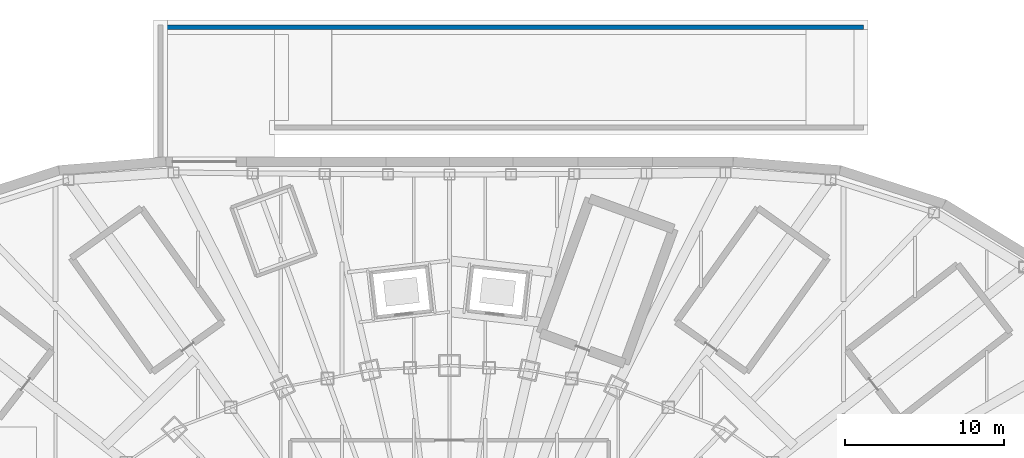
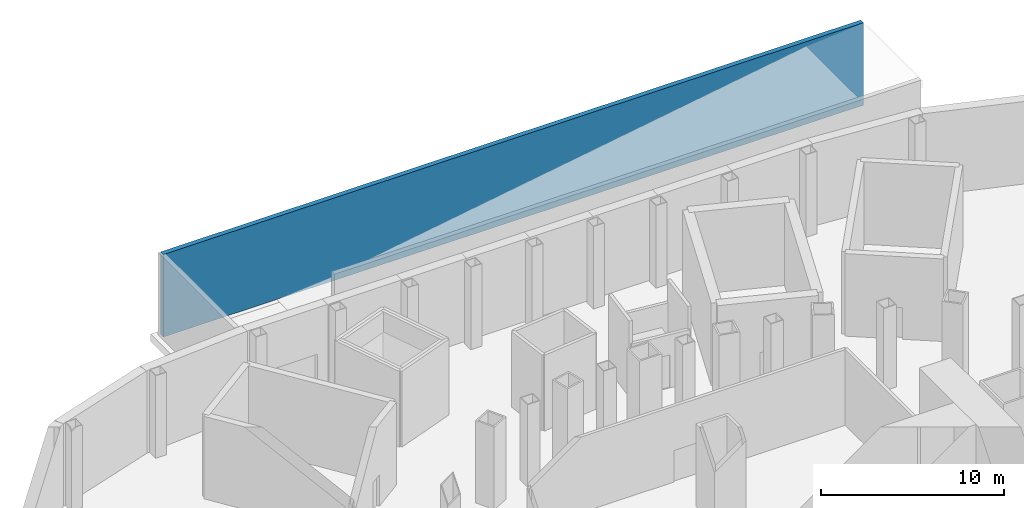
# One storey, part 14 of 19: 1 wall.
"""IFC4 building model written with IfcOpenShell, lengths in metres."""

import ifcopenshell
import ifcopenshell.guid

model = None  # the IFC model being written
_history = None  # IfcOwnerHistory: only IFC2X3 demands one
_inside = {}  # id of a spatial element -> (the spatial element, [elements in it])
_under = {}  # id of a project, library or spatial element -> (it, [spatial elements below it])
_declared = {}  # id of a project -> (the project, [libraries it declares])
_typed = {}  # id of a type object -> (the type object, [elements of that type])
_made_of = {}  # id of a material, layer set ... -> (it, [elements and type objects made of it])


def new_model(schema):
    """Start an empty IFC model of exactly this schema.

    Asked for "IFC4X3", IfcOpenShell would pick the latest addendum, in which some entities
    have other attributes; the version numbers below select the first issue.
    IFC2X3 requires an IfcOwnerHistory on every rooted entity: one is made here for all.
    """
    global model, _history
    if schema == "IFC4X3":
        model = ifcopenshell.file(schema_version=(4, 3, 0, 0))
    else:
        model = ifcopenshell.file(schema=schema)
    _inside.clear()
    _under.clear()
    _declared.clear()
    _typed.clear()
    _made_of.clear()
    _history = None
    if model.schema == "IFC2X3":
        org = make("IfcOrganization", Name="unknown")
        user = make(
            "IfcPersonAndOrganization",
            ThePerson=make("IfcPerson", FamilyName="unknown"),
            TheOrganization=org,
        )
        app = make(
            "IfcApplication",
            ApplicationDeveloper=org,
            Version="unknown",
            ApplicationFullName="unknown",
            ApplicationIdentifier="unknown",
        )
        _history = make(
            "IfcOwnerHistory",
            OwningUser=user,
            OwningApplication=app,
            ChangeAction="ADDED",
            CreationDate=0,
        )
    return model


def make(cls, **values):
    """One entity of the class cls with the attributes given. An attribute that is None is left unset."""
    return model.create_entity(
        cls, **{name: value for name, value in values.items() if value is not None}
    )


def rooted(cls, **values):
    """An entity with a GlobalId (a new one), such as an element, a storey or a relation."""
    return make(cls, GlobalId=ifcopenshell.guid.new(), OwnerHistory=_history, **values)


def si_unit(unit_type, name, prefix=None):
    """IfcSIUnit, for example si_unit("LENGTHUNIT", "METRE", prefix="MILLI")."""
    return make("IfcSIUnit", UnitType=unit_type, Prefix=prefix, Name=name)


def assignment(units):
    """IfcUnitAssignment: the units of a project."""
    return None if units is None else make("IfcUnitAssignment", Units=units)


def point(xyz):
    """IfcCartesianPoint."""
    return None if xyz is None else make("IfcCartesianPoint", Coordinates=xyz)


def direction(xyz):
    """IfcDirection."""
    return None if xyz is None else make("IfcDirection", DirectionRatios=xyz)


def frame(location, z_axis=None, x_axis=None):
    """IfcAxis2Placement3D, a coordinate frame: its origin and axes. An axis left out is left unset."""
    return make(
        "IfcAxis2Placement3D",
        Location=point(location),
        Axis=direction(z_axis),
        RefDirection=direction(x_axis),
    )


def frame_2d(location, x_axis=None):
    """IfcAxis2Placement2D, a coordinate frame in the plane: its origin and x axis."""
    return make(
        "IfcAxis2Placement2D", Location=point(location), RefDirection=direction(x_axis)
    )


def origin():
    """The frame at (0, 0, 0) with its axes left unset."""
    return frame((0.0, 0.0, 0.0))


def place(relative_to, where):
    """IfcLocalPlacement: puts the frame where relative to a parent placement (None: the world)."""
    return make(
        "IfcLocalPlacement", PlacementRelTo=relative_to, RelativePlacement=where
    )


def context(
    kind, dimensions, precision=None, world=None, true_north=None, identifier=None
):
    """IfcGeometricRepresentationContext, for example the 3D "Model" context."""
    return make(
        "IfcGeometricRepresentationContext",
        ContextIdentifier=identifier,
        ContextType=kind,
        CoordinateSpaceDimension=dimensions,
        Precision=precision,
        WorldCoordinateSystem=world,
        TrueNorth=true_north,
    )


def subcontext(parent, identifier, kind, view, scale=None):
    """IfcGeometricRepresentationSubContext, for example "Body" below "Model"."""
    return make(
        "IfcGeometricRepresentationSubContext",
        ContextIdentifier=identifier,
        ContextType=kind,
        ParentContext=parent,
        TargetScale=scale,
        TargetView=view,
    )


def project(units=None, contexts=None):
    """IfcProject with its units and contexts."""
    return rooted(
        "IfcProject",
        Name="project",
        RepresentationContexts=contexts,
        UnitsInContext=assignment(units),
    )


def spatial(cls, under=None, at=None, **own):
    """A site, building, storey or space (cls), placed at a placement, below another one or the project."""
    s = rooted(cls, ObjectPlacement=at, **own)
    if under is not None:
        _under.setdefault(under.id(), (under, []))[1].append(s)
    return s


def profile(cls, at=None, kind="AREA", **sizes):
    """A parametric profile (cls). Its sizes go by their IFC names, for example OverallWidth=200.0."""
    return make(cls, ProfileType=kind, Position=at, **sizes)


def rectangle(**sizes):
    """IfcRectangleProfileDef."""
    return profile("IfcRectangleProfileDef", **sizes)


def extrude(swept, where, along, depth):
    """IfcExtrudedAreaSolid: the profile swept, set in the frame where, extruded along a direction by depth."""
    return make(
        "IfcExtrudedAreaSolid",
        SweptArea=swept,
        Position=where,
        ExtrudedDirection=direction(along),
        Depth=depth,
    )


def shape(context_of_items, identifier, shape_type, items):
    """IfcShapeRepresentation: the items that make up one representation, for example the "Body"."""
    return make(
        "IfcShapeRepresentation",
        ContextOfItems=context_of_items,
        RepresentationIdentifier=identifier,
        RepresentationType=shape_type,
        Items=items,
    )


def material(Name=None, Category=None):
    """IfcMaterial."""
    return make("IfcMaterial", Name=Name, Category=Category)


def layer(
    of_material, thickness, ventilated=None, Name=None, Category=None, Priority=None
):
    """IfcMaterialLayer: one layer of a wall or slab, of a material (None: an air gap)."""
    return make(
        "IfcMaterialLayer",
        Material=of_material,
        LayerThickness=thickness,
        IsVentilated=ventilated,
        Name=Name,
        Category=Category,
        Priority=Priority,
    )


def layer_set(layers, Name=None):
    """IfcMaterialLayerSet."""
    return make("IfcMaterialLayerSet", MaterialLayers=layers, LayerSetName=Name)


def made_of(thing, what):
    """Note that an element or type object is made of a material, layer set ...; save() writes the relation."""
    if what is not None:
        _made_of.setdefault(what.id(), (what, []))[1].append(thing)
    return thing


def type_object(cls, material=None, **own):
    """A type object (cls), such as IfcWallType, which elements share."""
    return made_of(rooted(cls, **own), material)


def element(
    cls,
    number,
    at=None,
    inside=None,
    cuts=None,
    type_object=None,
    material=None,
    context=None,
    identifier="Body",
    shape_type=None,
    held_by="IfcProductDefinitionShape",
    body=None,
    shapes=None,
    **own,
):
    """One element of the class cls, such as IfcWall. Its Tag is "e" and its number.

    at: its placement. inside: the storey or other place that contains it. cuts: it is an
    opening in that element (IfcRelVoidsElement). A single representation is given by context,
    identifier, shape_type and body (its items); several are given by shapes. held_by: the class
    of the entity that holds the representations. save() writes the other relations.
    """
    e = rooted(cls, Tag="e%d" % number, ObjectPlacement=at, **own)
    if body is not None:
        shapes = [shape(context, identifier, shape_type, body)]
    if shapes is not None:
        e.Representation = make(held_by, Representations=shapes)
    if inside is not None:
        _inside.setdefault(inside.id(), (inside, []))[1].append(e)
    if cuts is not None:
        rooted(
            "IfcRelVoidsElement", RelatingBuildingElement=cuts, RelatedOpeningElement=e
        )
    if type_object is not None:
        _typed.setdefault(type_object.id(), (type_object, []))[1].append(e)
    return made_of(e, material)


def aggregate(whole, parts):
    """IfcRelAggregates: a whole, such as a stair, and the parts it consists of."""
    return rooted("IfcRelAggregates", RelatingObject=whole, RelatedObjects=parts)


def save(model, path):
    """Write the relations noted so far, then the file.

    IfcRelAggregates (storeys below a building ...), IfcRelContainedInSpatialStructure (elements
    in a storey), IfcRelDefinesByType, IfcRelAssociatesMaterial and IfcRelDeclares: one each for
    every whole, place, type object, material and project.
    """
    for whole, parts in _under.values():
        aggregate(whole, parts)
    for where, things in _inside.values():
        rooted(
            "IfcRelContainedInSpatialStructure",
            RelatedElements=things,
            RelatingStructure=where,
        )
    for kind, things in _typed.values():
        rooted("IfcRelDefinesByType", RelatedObjects=things, RelatingType=kind)
    for what, things in _made_of.values():
        rooted("IfcRelAssociatesMaterial", RelatedObjects=things, RelatingMaterial=what)
    for by, libraries in _declared.values():
        rooted("IfcRelDeclares", RelatingContext=by, RelatedDefinitions=libraries)
    model.write(path)


model = new_model("IFC4")

# Units and contexts
model_context = context("Model", 3, precision=1e-05, world=origin(), true_north=direction((0.0, 1.0)))
body_context = subcontext(model_context, "Body", "Model", "MODEL_VIEW")
ifc_project = project(units=[si_unit("LENGTHUNIT", "METRE"), si_unit("AREAUNIT", "SQUARE_METRE"), si_unit("VOLUMEUNIT", "CUBIC_METRE"), si_unit("PLANEANGLEUNIT", "RADIAN"), si_unit("MASSUNIT", "GRAM", prefix="KILO")], contexts=[model_context])

# Site, building, storey
site_placement = place(None, origin())
site = spatial("IfcSite", under=ifc_project, at=site_placement, CompositionType="ELEMENT")
building_placement = place(site_placement, origin())
building = spatial("IfcBuilding", under=site, at=building_placement, Name="Lantaw Convention Tower", CompositionType="ELEMENT")
storey_placement = place(building_placement, frame((0.0, 0.0, -5.5)))
storey = spatial("IfcBuildingStorey", under=building, at=storey_placement, Name="B1", CompositionType="ELEMENT", Elevation=-5.5)

# Wall
ifc_material = material(Name="Concrete C40/50", Category="concrete")
ifc_layer = layer(ifc_material, 0.300048828125)
ifc_layer_set = layer_set([ifc_layer], Name="Ramp retaining wall 300 load-bearing")
wall_type = type_object("IfcWallType", Name="Ramp retaining wall 300 load-bearing", PredefinedType="SOLIDWALL", material=ifc_layer_set)
wall_placement = place(storey_placement, frame((26.0, 43.14990234375, 0.0), z_axis=(0.0, 0.0, 1.0), x_axis=(-1.0, 0.0, 0.0)))
element("IfcWall", 1, at=wall_placement, inside=storey, type_object=wall_type, Name="Ramp retaining wall", PredefinedType="SOLIDWALL", context=body_context, shape_type="SweptSolid", body=[
    extrude(rectangle(XDim=44.14990234375, YDim=0.300048828125, at=frame_2d((22.074951171875, 0.0))), origin(), (0.0, 0.0, 1.0), 5.5),
])

save(model, "model.ifc")
